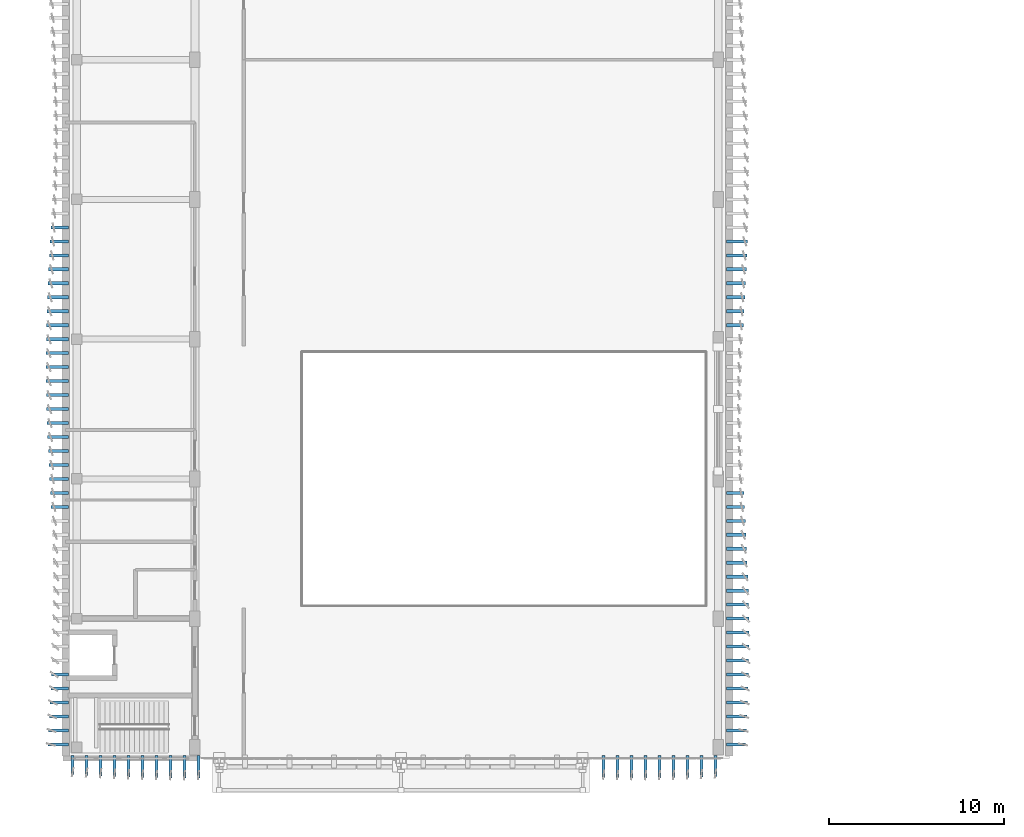
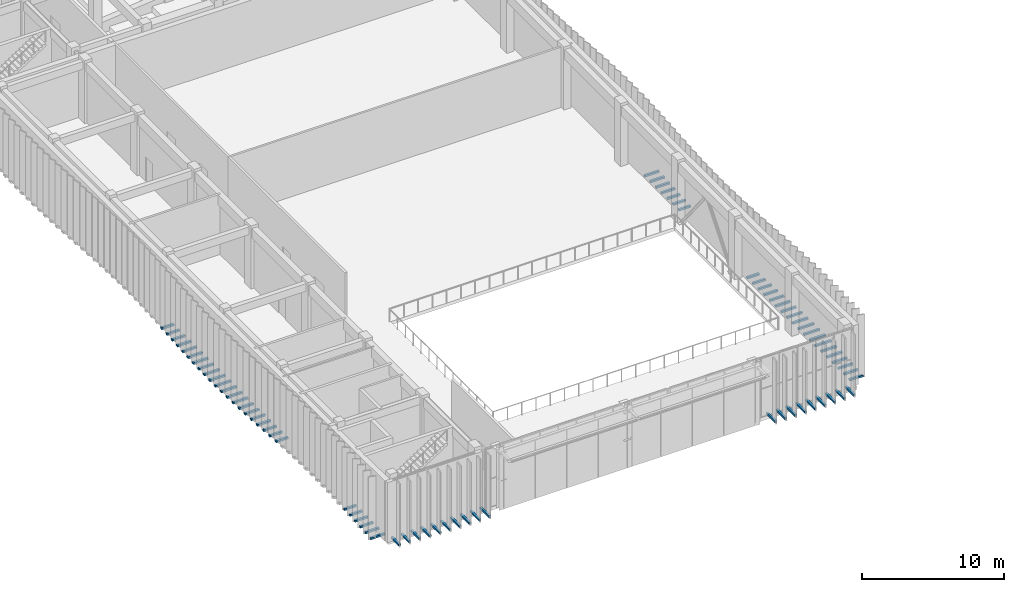
# One storey, part 47 of 64: 72 discrete accessories.
"""IFC4 building model written with IfcOpenShell, lengths in metres."""

from ifc_helpers import new_model, si_unit, direction, frame, origin, origin_2d, place, context, subcontext, project, spatial, rectangle, extrude, material, type_object, element, save


model = new_model("IFC4")

# Units and contexts
model_context = context("Model", 3, precision=1e-05, world=origin(), true_north=direction((0.0, 1.0)))
body_context = subcontext(model_context, "Body", "Model", "MODEL_VIEW")
ifc_project = project(units=[si_unit("LENGTHUNIT", "METRE"), si_unit("AREAUNIT", "SQUARE_METRE"), si_unit("VOLUMEUNIT", "CUBIC_METRE"), si_unit("PLANEANGLEUNIT", "RADIAN"), si_unit("MASSUNIT", "GRAM", prefix="KILO")], contexts=[model_context])

# Site, building, storey
site_placement = place(None, origin())
site = spatial("IfcSite", under=ifc_project, at=site_placement, CompositionType="ELEMENT")
building_placement = place(site_placement, origin())
building = spatial("IfcBuilding", under=site, at=building_placement, Name="Cinchona Park Media Centre", CompositionType="ELEMENT")
storey_placement = place(building_placement, frame((0.0, 0.0, 10.199951171875)))
storey = spatial("IfcBuildingStorey", under=building, at=storey_placement, Name="L02", CompositionType="ELEMENT", Elevation=10.199951171875)

# Discrete accessories
ifc_material = material(Name="Steel S355", Category="steel")
discrete_accessory_type = type_object("IfcDiscreteAccessoryType", Name="BRACKET-BRK01", PredefinedType="BRACKET", material=ifc_material)
discrete_accessory_1_placement = place(storey_placement, frame((7.655029296875, 38.0, 0.0400390625), z_axis=(0.0, 0.0, 1.0), x_axis=(0.0, -1.0, 0.0)))
element("IfcDiscreteAccessory", 1, at=discrete_accessory_1_placement, inside=storey, type_object=discrete_accessory_type, Name="Facade Fin Outrigger Bracket L02", PredefinedType="BRACKET", context=body_context, shape_type="SweptSolid", body=[
    extrude(rectangle(XDim=0.179931640625, YDim=1.010986328125, at=origin_2d()), origin(), (0.0, 0.0, 1.0), 0.159912109375),
])
discrete_accessory_2_placement = place(storey_placement, frame((7.635009765625, 37.199951171875, 0.0400390625), z_axis=(0.0, 0.0, 1.0), x_axis=(0.0, -1.0, 0.0)))
element("IfcDiscreteAccessory", 2, at=discrete_accessory_2_placement, inside=storey, type_object=discrete_accessory_type, Name="Facade Fin Outrigger Bracket L02", PredefinedType="BRACKET", context=body_context, shape_type="SweptSolid", body=[
    extrude(rectangle(XDim=0.179931640625, YDim=1.050048828125, at=origin_2d()), origin(), (0.0, 0.0, 1.0), 0.159912109375),
])
discrete_accessory_3_placement = place(storey_placement, frame((7.614990234375, 36.39990234375, 0.0400390625), z_axis=(0.0, 0.0, 1.0), x_axis=(0.0, -1.0, 0.0)))
element("IfcDiscreteAccessory", 3, at=discrete_accessory_3_placement, inside=storey, type_object=discrete_accessory_type, Name="Facade Fin Outrigger Bracket L02", PredefinedType="BRACKET", context=body_context, shape_type="SweptSolid", body=[
    extrude(rectangle(XDim=0.179931640625, YDim=1.090087890625, at=origin_2d()), origin(), (0.0, 0.0, 1.0), 0.159912109375),
])
discrete_accessory_4_placement = place(storey_placement, frame((7.594970703125, 35.60009765625, 0.0400390625), z_axis=(0.0, 0.0, 1.0), x_axis=(0.0, -1.0, 0.0)))
element("IfcDiscreteAccessory", 4, at=discrete_accessory_4_placement, inside=storey, type_object=discrete_accessory_type, Name="Facade Fin Outrigger Bracket L02", PredefinedType="BRACKET", context=body_context, shape_type="SweptSolid", body=[
    extrude(rectangle(XDim=0.179931640625, YDim=1.12890625, at=origin_2d()), origin(), (0.0, 0.0, 1.0), 0.159912109375),
])
discrete_accessory_5_placement = place(storey_placement, frame((7.576904296875, 34.800048828125, 0.0400390625), z_axis=(0.0, 0.0, 1.0), x_axis=(0.0, -1.0, 0.0)))
element("IfcDiscreteAccessory", 5, at=discrete_accessory_5_placement, inside=storey, type_object=discrete_accessory_type, Name="Facade Fin Outrigger Bracket L02", PredefinedType="BRACKET", context=body_context, shape_type="SweptSolid", body=[
    extrude(rectangle(XDim=0.179931640625, YDim=1.166015625, at=origin_2d()), origin(), (0.0, 0.0, 1.0), 0.159912109375),
])
discrete_accessory_6_placement = place(storey_placement, frame((7.56005859375, 34.0, 0.0400390625), z_axis=(0.0, 0.0, 1.0), x_axis=(0.0, -1.0, 0.0)))
element("IfcDiscreteAccessory", 6, at=discrete_accessory_6_placement, inside=storey, type_object=discrete_accessory_type, Name="Facade Fin Outrigger Bracket L02", PredefinedType="BRACKET", context=body_context, shape_type="SweptSolid", body=[
    extrude(rectangle(XDim=0.179931640625, YDim=1.199951171875, at=origin_2d()), origin(), (0.0, 0.0, 1.0), 0.159912109375),
])
discrete_accessory_7_placement = place(storey_placement, frame((7.5458984375, 33.199951171875, 0.0400390625), z_axis=(0.0, 0.0, 1.0), x_axis=(0.0, -1.0, 0.0)))
element("IfcDiscreteAccessory", 7, at=discrete_accessory_7_placement, inside=storey, type_object=discrete_accessory_type, Name="Facade Fin Outrigger Bracket L02", PredefinedType="BRACKET", context=body_context, shape_type="SweptSolid", body=[
    extrude(rectangle(XDim=0.179931640625, YDim=1.22900390625, at=origin_2d()), origin(), (0.0, 0.0, 1.0), 0.159912109375),
])
discrete_accessory_8_placement = place(storey_placement, frame((7.533935546875, 32.39990234375, 0.0400390625), z_axis=(0.0, 0.0, 1.0), x_axis=(0.0, -1.0, 0.0)))
element("IfcDiscreteAccessory", 8, at=discrete_accessory_8_placement, inside=storey, type_object=discrete_accessory_type, Name="Facade Fin Outrigger Bracket L02", PredefinedType="BRACKET", context=body_context, shape_type="SweptSolid", body=[
    extrude(rectangle(XDim=0.179931640625, YDim=1.251953125, at=origin_2d()), origin(), (0.0, 0.0, 1.0), 0.159912109375),
])
discrete_accessory_9_placement = place(storey_placement, frame((7.52587890625, 31.60009765625, 0.0400390625), z_axis=(0.0, 0.0, 1.0), x_axis=(0.0, -1.0, 0.0)))
element("IfcDiscreteAccessory", 9, at=discrete_accessory_9_placement, inside=storey, type_object=discrete_accessory_type, Name="Facade Fin Outrigger Bracket L02", PredefinedType="BRACKET", context=body_context, shape_type="SweptSolid", body=[
    extrude(rectangle(XDim=0.179931640625, YDim=1.26806640625, at=origin_2d()), origin(), (0.0, 0.0, 1.0), 0.159912109375),
])
discrete_accessory_10_placement = place(storey_placement, frame((7.52099609375, 30.800048828125, 0.0400390625), z_axis=(0.0, 0.0, 1.0), x_axis=(0.0, -1.0, 0.0)))
element("IfcDiscreteAccessory", 10, at=discrete_accessory_10_placement, inside=storey, type_object=discrete_accessory_type, Name="Facade Fin Outrigger Bracket L02", PredefinedType="BRACKET", context=body_context, shape_type="SweptSolid", body=[
    extrude(rectangle(XDim=0.179931640625, YDim=1.278076171875, at=origin_2d()), origin(), (0.0, 0.0, 1.0), 0.159912109375),
])
discrete_accessory_11_placement = place(storey_placement, frame((7.52001953125, 30.0, 0.0400390625), z_axis=(0.0, 0.0, 1.0), x_axis=(0.0, -1.0, 0.0)))
element("IfcDiscreteAccessory", 11, at=discrete_accessory_11_placement, inside=storey, type_object=discrete_accessory_type, Name="Facade Fin Outrigger Bracket L02", PredefinedType="BRACKET", context=body_context, shape_type="SweptSolid", body=[
    extrude(rectangle(XDim=0.179931640625, YDim=1.280029296875, at=origin_2d()), origin(), (0.0, 0.0, 1.0), 0.159912109375),
])
discrete_accessory_12_placement = place(storey_placement, frame((7.52294921875, 29.199951171875, 0.0400390625), z_axis=(0.0, 0.0, 1.0), x_axis=(0.0, -1.0, 0.0)))
element("IfcDiscreteAccessory", 12, at=discrete_accessory_12_placement, inside=storey, type_object=discrete_accessory_type, Name="Facade Fin Outrigger Bracket L02", PredefinedType="BRACKET", context=body_context, shape_type="SweptSolid", body=[
    extrude(rectangle(XDim=0.179931640625, YDim=1.27392578125, at=origin_2d()), origin(), (0.0, 0.0, 1.0), 0.159912109375),
])
discrete_accessory_13_placement = place(storey_placement, frame((7.529052734375, 28.39990234375, 0.0400390625), z_axis=(0.0, 0.0, 1.0), x_axis=(0.0, -1.0, 0.0)))
element("IfcDiscreteAccessory", 13, at=discrete_accessory_13_placement, inside=storey, type_object=discrete_accessory_type, Name="Facade Fin Outrigger Bracket L02", PredefinedType="BRACKET", context=body_context, shape_type="SweptSolid", body=[
    extrude(rectangle(XDim=0.179931640625, YDim=1.260986328125, at=origin_2d()), origin(), (0.0, 0.0, 1.0), 0.159912109375),
])
discrete_accessory_14_placement = place(storey_placement, frame((7.5390625, 27.60009765625, 0.0400390625), z_axis=(0.0, 0.0, 1.0), x_axis=(0.0, -1.0, 0.0)))
element("IfcDiscreteAccessory", 14, at=discrete_accessory_14_placement, inside=storey, type_object=discrete_accessory_type, Name="Facade Fin Outrigger Bracket L02", PredefinedType="BRACKET", context=body_context, shape_type="SweptSolid", body=[
    extrude(rectangle(XDim=0.179931640625, YDim=1.240966796875, at=origin_2d()), origin(), (0.0, 0.0, 1.0), 0.159912109375),
])
discrete_accessory_15_placement = place(storey_placement, frame((7.552978515625, 26.800048828125, 0.0400390625), z_axis=(0.0, 0.0, 1.0), x_axis=(0.0, -1.0, 0.0)))
element("IfcDiscreteAccessory", 15, at=discrete_accessory_15_placement, inside=storey, type_object=discrete_accessory_type, Name="Facade Fin Outrigger Bracket L02", PredefinedType="BRACKET", context=body_context, shape_type="SweptSolid", body=[
    extrude(rectangle(XDim=0.179931640625, YDim=1.215087890625, at=origin_2d()), origin(), (0.0, 0.0, 1.0), 0.159912109375),
])
discrete_accessory_16_placement = place(storey_placement, frame((7.568115234375, 26.0, 0.0400390625), z_axis=(0.0, 0.0, 1.0), x_axis=(0.0, -1.0, 0.0)))
element("IfcDiscreteAccessory", 16, at=discrete_accessory_16_placement, inside=storey, type_object=discrete_accessory_type, Name="Facade Fin Outrigger Bracket L02", PredefinedType="BRACKET", context=body_context, shape_type="SweptSolid", body=[
    extrude(rectangle(XDim=0.179931640625, YDim=1.18408203125, at=origin_2d()), origin(), (0.0, 0.0, 1.0), 0.159912109375),
])
discrete_accessory_17_placement = place(storey_placement, frame((7.5859375, 25.199951171875, 0.0400390625), z_axis=(0.0, 0.0, 1.0), x_axis=(0.0, -1.0, 0.0)))
element("IfcDiscreteAccessory", 17, at=discrete_accessory_17_placement, inside=storey, type_object=discrete_accessory_type, Name="Facade Fin Outrigger Bracket L02", PredefinedType="BRACKET", context=body_context, shape_type="SweptSolid", body=[
    extrude(rectangle(XDim=0.179931640625, YDim=1.14794921875, at=origin_2d()), origin(), (0.0, 0.0, 1.0), 0.159912109375),
])
discrete_accessory_18_placement = place(storey_placement, frame((7.60498046875, 24.39990234375, 0.0400390625), z_axis=(0.0, 0.0, 1.0), x_axis=(0.0, -1.0, 0.0)))
element("IfcDiscreteAccessory", 18, at=discrete_accessory_18_placement, inside=storey, type_object=discrete_accessory_type, Name="Facade Fin Outrigger Bracket L02", PredefinedType="BRACKET", context=body_context, shape_type="SweptSolid", body=[
    extrude(rectangle(XDim=0.179931640625, YDim=1.110107421875, at=origin_2d()), origin(), (0.0, 0.0, 1.0), 0.159912109375),
])
discrete_accessory_19_placement = place(storey_placement, frame((7.625, 23.60009765625, 0.0400390625), z_axis=(0.0, 0.0, 1.0), x_axis=(0.0, -1.0, 0.0)))
element("IfcDiscreteAccessory", 19, at=discrete_accessory_19_placement, inside=storey, type_object=discrete_accessory_type, Name="Facade Fin Outrigger Bracket L02", PredefinedType="BRACKET", context=body_context, shape_type="SweptSolid", body=[
    extrude(rectangle(XDim=0.179931640625, YDim=1.070068359375, at=origin_2d()), origin(), (0.0, 0.0, 1.0), 0.159912109375),
])
discrete_accessory_20_placement = place(storey_placement, frame((7.64501953125, 22.800048828125, 0.0400390625), z_axis=(0.0, 0.0, 1.0), x_axis=(0.0, -1.0, 0.0)))
element("IfcDiscreteAccessory", 20, at=discrete_accessory_20_placement, inside=storey, type_object=discrete_accessory_type, Name="Facade Fin Outrigger Bracket L02", PredefinedType="BRACKET", context=body_context, shape_type="SweptSolid", body=[
    extrude(rectangle(XDim=0.179931640625, YDim=1.030029296875, at=origin_2d()), origin(), (0.0, 0.0, 1.0), 0.159912109375),
])
discrete_accessory_21_placement = place(storey_placement, frame((7.6640625, 22.0, 0.0400390625), z_axis=(0.0, 0.0, 1.0), x_axis=(0.0, -1.0, 0.0)))
element("IfcDiscreteAccessory", 21, at=discrete_accessory_21_placement, inside=storey, type_object=discrete_accessory_type, Name="Facade Fin Outrigger Bracket L02", PredefinedType="BRACKET", context=body_context, shape_type="SweptSolid", body=[
    extrude(rectangle(XDim=0.179931640625, YDim=0.991943359375, at=origin_2d()), origin(), (0.0, 0.0, 1.0), 0.159912109375),
])
discrete_accessory_22_placement = place(storey_placement, frame((7.673095703125, 12.39990234375, 0.0400390625), z_axis=(0.0, 0.0, 1.0), x_axis=(0.0, -1.0, 0.0)))
element("IfcDiscreteAccessory", 22, at=discrete_accessory_22_placement, inside=storey, type_object=discrete_accessory_type, Name="Facade Fin Outrigger Bracket L02", PredefinedType="BRACKET", context=body_context, shape_type="SweptSolid", body=[
    extrude(rectangle(XDim=0.179931640625, YDim=0.97412109375, at=origin_2d()), origin(), (0.0, 0.0, 1.0), 0.159912109375),
])
discrete_accessory_23_placement = place(storey_placement, frame((7.655029296875, 11.60009765625, 0.0400390625), z_axis=(0.0, 0.0, 1.0), x_axis=(0.0, -1.0, 0.0)))
element("IfcDiscreteAccessory", 23, at=discrete_accessory_23_placement, inside=storey, type_object=discrete_accessory_type, Name="Facade Fin Outrigger Bracket L02", PredefinedType="BRACKET", context=body_context, shape_type="SweptSolid", body=[
    extrude(rectangle(XDim=0.179931640625, YDim=1.010986328125, at=origin_2d()), origin(), (0.0, 0.0, 1.0), 0.159912109375),
])
discrete_accessory_24_placement = place(storey_placement, frame((7.635009765625, 10.800048828125, 0.0400390625), z_axis=(0.0, 0.0, 1.0), x_axis=(0.0, -1.0, 0.0)))
element("IfcDiscreteAccessory", 24, at=discrete_accessory_24_placement, inside=storey, type_object=discrete_accessory_type, Name="Facade Fin Outrigger Bracket L02", PredefinedType="BRACKET", context=body_context, shape_type="SweptSolid", body=[
    extrude(rectangle(XDim=0.179931640625, YDim=1.050048828125, at=origin_2d()), origin(), (0.0, 0.0, 1.0), 0.159912109375),
])
discrete_accessory_25_placement = place(storey_placement, frame((7.614990234375, 10.0, 0.0400390625), z_axis=(0.0, 0.0, 1.0), x_axis=(0.0, -1.0, 0.0)))
element("IfcDiscreteAccessory", 25, at=discrete_accessory_25_placement, inside=storey, type_object=discrete_accessory_type, Name="Facade Fin Outrigger Bracket L02", PredefinedType="BRACKET", context=body_context, shape_type="SweptSolid", body=[
    extrude(rectangle(XDim=0.179931640625, YDim=1.090087890625, at=origin_2d()), origin(), (0.0, 0.0, 1.0), 0.159912109375),
])
discrete_accessory_26_placement = place(storey_placement, frame((7.594970703125, 9.199951171875, 0.0400390625), z_axis=(0.0, 0.0, 1.0), x_axis=(0.0, -1.0, 0.0)))
element("IfcDiscreteAccessory", 26, at=discrete_accessory_26_placement, inside=storey, type_object=discrete_accessory_type, Name="Facade Fin Outrigger Bracket L02", PredefinedType="BRACKET", context=body_context, shape_type="SweptSolid", body=[
    extrude(rectangle(XDim=0.179931640625, YDim=1.12890625, at=origin_2d()), origin(), (0.0, 0.0, 1.0), 0.159912109375),
])
discrete_accessory_27_placement = place(storey_placement, frame((7.576904296875, 8.39990234375, 0.0400390625), z_axis=(0.0, 0.0, 1.0), x_axis=(0.0, -1.0, 0.0)))
element("IfcDiscreteAccessory", 27, at=discrete_accessory_27_placement, inside=storey, type_object=discrete_accessory_type, Name="Facade Fin Outrigger Bracket L02", PredefinedType="BRACKET", context=body_context, shape_type="SweptSolid", body=[
    extrude(rectangle(XDim=0.179931640625, YDim=1.166015625, at=origin_2d()), origin(), (0.0, 0.0, 1.0), 0.159912109375),
])
discrete_accessory_28_placement = place(storey_placement, frame((8.39990234375, 7.215087890625, 0.0400390625), z_axis=(0.0, 0.0, 1.0), x_axis=(1.0, 0.0, 0.0)))
element("IfcDiscreteAccessory", 28, at=discrete_accessory_28_placement, inside=storey, type_object=discrete_accessory_type, Name="Facade Fin Outrigger Bracket L02", PredefinedType="BRACKET", context=body_context, shape_type="SweptSolid", body=[
    extrude(rectangle(XDim=0.179931640625, YDim=1.090087890625, at=origin_2d()), origin(), (0.0, 0.0, 1.0), 0.159912109375),
])
discrete_accessory_29_placement = place(storey_placement, frame((9.199951171875, 7.195068359375, 0.0400390625), z_axis=(0.0, 0.0, 1.0), x_axis=(1.0, 0.0, 0.0)))
element("IfcDiscreteAccessory", 29, at=discrete_accessory_29_placement, inside=storey, type_object=discrete_accessory_type, Name="Facade Fin Outrigger Bracket L02", PredefinedType="BRACKET", context=body_context, shape_type="SweptSolid", body=[
    extrude(rectangle(XDim=0.179931640625, YDim=1.12890625, at=origin_2d()), origin(), (0.0, 0.0, 1.0), 0.159912109375),
])
discrete_accessory_30_placement = place(storey_placement, frame((10.0, 7.177001953125, 0.0400390625), z_axis=(0.0, 0.0, 1.0), x_axis=(1.0, 0.0, 0.0)))
element("IfcDiscreteAccessory", 30, at=discrete_accessory_30_placement, inside=storey, type_object=discrete_accessory_type, Name="Facade Fin Outrigger Bracket L02", PredefinedType="BRACKET", context=body_context, shape_type="SweptSolid", body=[
    extrude(rectangle(XDim=0.179931640625, YDim=1.166015625, at=origin_2d()), origin(), (0.0, 0.0, 1.0), 0.159912109375),
])
discrete_accessory_31_placement = place(storey_placement, frame((10.800048828125, 7.159912109375, 0.0400390625), z_axis=(0.0, 0.0, 1.0), x_axis=(1.0, 0.0, 0.0)))
element("IfcDiscreteAccessory", 31, at=discrete_accessory_31_placement, inside=storey, type_object=discrete_accessory_type, Name="Facade Fin Outrigger Bracket L02", PredefinedType="BRACKET", context=body_context, shape_type="SweptSolid", body=[
    extrude(rectangle(XDim=0.179931640625, YDim=1.199951171875, at=origin_2d()), origin(), (0.0, 0.0, 1.0), 0.159912109375),
])
discrete_accessory_32_placement = place(storey_placement, frame((11.60009765625, 7.14599609375, 0.0400390625), z_axis=(0.0, 0.0, 1.0), x_axis=(1.0, 0.0, 0.0)))
element("IfcDiscreteAccessory", 32, at=discrete_accessory_32_placement, inside=storey, type_object=discrete_accessory_type, Name="Facade Fin Outrigger Bracket L02", PredefinedType="BRACKET", context=body_context, shape_type="SweptSolid", body=[
    extrude(rectangle(XDim=0.179931640625, YDim=1.22900390625, at=origin_2d()), origin(), (0.0, 0.0, 1.0), 0.159912109375),
])
discrete_accessory_33_placement = place(storey_placement, frame((12.39990234375, 7.134033203125, 0.0400390625), z_axis=(0.0, 0.0, 1.0), x_axis=(1.0, 0.0, 0.0)))
element("IfcDiscreteAccessory", 33, at=discrete_accessory_33_placement, inside=storey, type_object=discrete_accessory_type, Name="Facade Fin Outrigger Bracket L02", PredefinedType="BRACKET", context=body_context, shape_type="SweptSolid", body=[
    extrude(rectangle(XDim=0.179931640625, YDim=1.251953125, at=origin_2d()), origin(), (0.0, 0.0, 1.0), 0.159912109375),
])
discrete_accessory_34_placement = place(storey_placement, frame((13.199951171875, 7.1259765625, 0.0400390625), z_axis=(0.0, 0.0, 1.0), x_axis=(1.0, 0.0, 0.0)))
element("IfcDiscreteAccessory", 34, at=discrete_accessory_34_placement, inside=storey, type_object=discrete_accessory_type, Name="Facade Fin Outrigger Bracket L02", PredefinedType="BRACKET", context=body_context, shape_type="SweptSolid", body=[
    extrude(rectangle(XDim=0.179931640625, YDim=1.26806640625, at=origin_2d()), origin(), (0.0, 0.0, 1.0), 0.159912109375),
])
discrete_accessory_35_placement = place(storey_placement, frame((14.0, 7.12109375, 0.0400390625), z_axis=(0.0, 0.0, 1.0), x_axis=(1.0, 0.0, 0.0)))
element("IfcDiscreteAccessory", 35, at=discrete_accessory_35_placement, inside=storey, type_object=discrete_accessory_type, Name="Facade Fin Outrigger Bracket L02", PredefinedType="BRACKET", context=body_context, shape_type="SweptSolid", body=[
    extrude(rectangle(XDim=0.179931640625, YDim=1.278076171875, at=origin_2d()), origin(), (0.0, 0.0, 1.0), 0.159912109375),
])
discrete_accessory_36_placement = place(storey_placement, frame((14.800048828125, 7.1201171875, 0.0400390625), z_axis=(0.0, 0.0, 1.0), x_axis=(1.0, 0.0, 0.0)))
element("IfcDiscreteAccessory", 36, at=discrete_accessory_36_placement, inside=storey, type_object=discrete_accessory_type, Name="Facade Fin Outrigger Bracket L02", PredefinedType="BRACKET", context=body_context, shape_type="SweptSolid", body=[
    extrude(rectangle(XDim=0.179931640625, YDim=1.280029296875, at=origin_2d()), origin(), (0.0, 0.0, 1.0), 0.159912109375),
])
discrete_accessory_37_placement = place(storey_placement, frame((15.60009765625, 7.123046875, 0.0400390625), z_axis=(0.0, 0.0, 1.0), x_axis=(1.0, 0.0, 0.0)))
element("IfcDiscreteAccessory", 37, at=discrete_accessory_37_placement, inside=storey, type_object=discrete_accessory_type, Name="Facade Fin Outrigger Bracket L02", PredefinedType="BRACKET", context=body_context, shape_type="SweptSolid", body=[
    extrude(rectangle(XDim=0.179931640625, YDim=1.27392578125, at=origin_2d()), origin(), (0.0, 0.0, 1.0), 0.159912109375),
])
discrete_accessory_38_placement = place(storey_placement, frame((38.800048828125, 7.134033203125, 0.0400390625), z_axis=(0.0, 0.0, 1.0), x_axis=(1.0, 0.0, 0.0)))
element("IfcDiscreteAccessory", 38, at=discrete_accessory_38_placement, inside=storey, type_object=discrete_accessory_type, Name="Facade Fin Outrigger Bracket L02", PredefinedType="BRACKET", context=body_context, shape_type="SweptSolid", body=[
    extrude(rectangle(XDim=0.179931640625, YDim=1.251953125, at=origin_2d()), origin(), (0.0, 0.0, 1.0), 0.159912109375),
])
discrete_accessory_39_placement = place(storey_placement, frame((39.60009765625, 7.1259765625, 0.0400390625), z_axis=(0.0, 0.0, 1.0), x_axis=(1.0, 0.0, 0.0)))
element("IfcDiscreteAccessory", 39, at=discrete_accessory_39_placement, inside=storey, type_object=discrete_accessory_type, Name="Facade Fin Outrigger Bracket L02", PredefinedType="BRACKET", context=body_context, shape_type="SweptSolid", body=[
    extrude(rectangle(XDim=0.179931640625, YDim=1.26806640625, at=origin_2d()), origin(), (0.0, 0.0, 1.0), 0.159912109375),
])
discrete_accessory_40_placement = place(storey_placement, frame((40.39990234375, 7.12109375, 0.0400390625), z_axis=(0.0, 0.0, 1.0), x_axis=(1.0, 0.0, 0.0)))
element("IfcDiscreteAccessory", 40, at=discrete_accessory_40_placement, inside=storey, type_object=discrete_accessory_type, Name="Facade Fin Outrigger Bracket L02", PredefinedType="BRACKET", context=body_context, shape_type="SweptSolid", body=[
    extrude(rectangle(XDim=0.179931640625, YDim=1.278076171875, at=origin_2d()), origin(), (0.0, 0.0, 1.0), 0.159912109375),
])
discrete_accessory_41_placement = place(storey_placement, frame((41.199951171875, 7.1201171875, 0.0400390625), z_axis=(0.0, 0.0, 1.0), x_axis=(1.0, 0.0, 0.0)))
element("IfcDiscreteAccessory", 41, at=discrete_accessory_41_placement, inside=storey, type_object=discrete_accessory_type, Name="Facade Fin Outrigger Bracket L02", PredefinedType="BRACKET", context=body_context, shape_type="SweptSolid", body=[
    extrude(rectangle(XDim=0.179931640625, YDim=1.280029296875, at=origin_2d()), origin(), (0.0, 0.0, 1.0), 0.159912109375),
])
discrete_accessory_42_placement = place(storey_placement, frame((42.0, 7.123046875, 0.0400390625), z_axis=(0.0, 0.0, 1.0), x_axis=(1.0, 0.0, 0.0)))
element("IfcDiscreteAccessory", 42, at=discrete_accessory_42_placement, inside=storey, type_object=discrete_accessory_type, Name="Facade Fin Outrigger Bracket L02", PredefinedType="BRACKET", context=body_context, shape_type="SweptSolid", body=[
    extrude(rectangle(XDim=0.179931640625, YDim=1.27392578125, at=origin_2d()), origin(), (0.0, 0.0, 1.0), 0.159912109375),
])
discrete_accessory_43_placement = place(storey_placement, frame((42.800048828125, 7.12890625, 0.0400390625), z_axis=(0.0, 0.0, 1.0), x_axis=(1.0, 0.0, 0.0)))
element("IfcDiscreteAccessory", 43, at=discrete_accessory_43_placement, inside=storey, type_object=discrete_accessory_type, Name="Facade Fin Outrigger Bracket L02", PredefinedType="BRACKET", context=body_context, shape_type="SweptSolid", body=[
    extrude(rectangle(XDim=0.179931640625, YDim=1.260986328125, at=origin_2d()), origin(), (0.0, 0.0, 1.0), 0.159912109375),
])
discrete_accessory_44_placement = place(storey_placement, frame((43.60009765625, 7.138916015625, 0.0400390625), z_axis=(0.0, 0.0, 1.0), x_axis=(1.0, 0.0, 0.0)))
element("IfcDiscreteAccessory", 44, at=discrete_accessory_44_placement, inside=storey, type_object=discrete_accessory_type, Name="Facade Fin Outrigger Bracket L02", PredefinedType="BRACKET", context=body_context, shape_type="SweptSolid", body=[
    extrude(rectangle(XDim=0.179931640625, YDim=1.240966796875, at=origin_2d()), origin(), (0.0, 0.0, 1.0), 0.159912109375),
])
discrete_accessory_45_placement = place(storey_placement, frame((44.39990234375, 7.153076171875, 0.0400390625), z_axis=(0.0, 0.0, 1.0), x_axis=(1.0, 0.0, 0.0)))
element("IfcDiscreteAccessory", 45, at=discrete_accessory_45_placement, inside=storey, type_object=discrete_accessory_type, Name="Facade Fin Outrigger Bracket L02", PredefinedType="BRACKET", context=body_context, shape_type="SweptSolid", body=[
    extrude(rectangle(XDim=0.179931640625, YDim=1.215087890625, at=origin_2d()), origin(), (0.0, 0.0, 1.0), 0.159912109375),
])
discrete_accessory_46_placement = place(storey_placement, frame((45.199951171875, 7.16796875, 0.0400390625), z_axis=(0.0, 0.0, 1.0), x_axis=(1.0, 0.0, 0.0)))
element("IfcDiscreteAccessory", 46, at=discrete_accessory_46_placement, inside=storey, type_object=discrete_accessory_type, Name="Facade Fin Outrigger Bracket L02", PredefinedType="BRACKET", context=body_context, shape_type="SweptSolid", body=[
    extrude(rectangle(XDim=0.179931640625, YDim=1.18408203125, at=origin_2d()), origin(), (0.0, 0.0, 1.0), 0.159912109375),
])
discrete_accessory_47_placement = place(storey_placement, frame((46.385009765625, 8.39990234375, 0.0400390625), z_axis=(0.0, 0.0, 1.0), x_axis=(0.0, 1.0, 0.0)))
element("IfcDiscreteAccessory", 47, at=discrete_accessory_47_placement, inside=storey, type_object=discrete_accessory_type, Name="Facade Fin Outrigger Bracket L02", PredefinedType="BRACKET", context=body_context, shape_type="SweptSolid", body=[
    extrude(rectangle(XDim=0.179931640625, YDim=1.090087890625, at=origin_2d()), origin(), (0.0, 0.0, 1.0), 0.159912109375),
])
discrete_accessory_48_placement = place(storey_placement, frame((46.405029296875, 9.199951171875, 0.0400390625), z_axis=(0.0, 0.0, 1.0), x_axis=(0.0, 1.0, 0.0)))
element("IfcDiscreteAccessory", 48, at=discrete_accessory_48_placement, inside=storey, type_object=discrete_accessory_type, Name="Facade Fin Outrigger Bracket L02", PredefinedType="BRACKET", context=body_context, shape_type="SweptSolid", body=[
    extrude(rectangle(XDim=0.179931640625, YDim=1.12890625, at=origin_2d()), origin(), (0.0, 0.0, 1.0), 0.159912109375),
])
discrete_accessory_49_placement = place(storey_placement, frame((46.423095703125, 10.0, 0.0400390625), z_axis=(0.0, 0.0, 1.0), x_axis=(0.0, 1.0, 0.0)))
element("IfcDiscreteAccessory", 49, at=discrete_accessory_49_placement, inside=storey, type_object=discrete_accessory_type, Name="Facade Fin Outrigger Bracket L02", PredefinedType="BRACKET", context=body_context, shape_type="SweptSolid", body=[
    extrude(rectangle(XDim=0.179931640625, YDim=1.166015625, at=origin_2d()), origin(), (0.0, 0.0, 1.0), 0.159912109375),
])
discrete_accessory_50_placement = place(storey_placement, frame((46.43994140625, 10.800048828125, 0.0400390625), z_axis=(0.0, 0.0, 1.0), x_axis=(0.0, 1.0, 0.0)))
element("IfcDiscreteAccessory", 50, at=discrete_accessory_50_placement, inside=storey, type_object=discrete_accessory_type, Name="Facade Fin Outrigger Bracket L02", PredefinedType="BRACKET", context=body_context, shape_type="SweptSolid", body=[
    extrude(rectangle(XDim=0.179931640625, YDim=1.199951171875, at=origin_2d()), origin(), (0.0, 0.0, 1.0), 0.159912109375),
])
discrete_accessory_51_placement = place(storey_placement, frame((46.4541015625, 11.60009765625, 0.0400390625), z_axis=(0.0, 0.0, 1.0), x_axis=(0.0, 1.0, 0.0)))
element("IfcDiscreteAccessory", 51, at=discrete_accessory_51_placement, inside=storey, type_object=discrete_accessory_type, Name="Facade Fin Outrigger Bracket L02", PredefinedType="BRACKET", context=body_context, shape_type="SweptSolid", body=[
    extrude(rectangle(XDim=0.179931640625, YDim=1.22900390625, at=origin_2d()), origin(), (0.0, 0.0, 1.0), 0.159912109375),
])
discrete_accessory_52_placement = place(storey_placement, frame((46.466064453125, 12.39990234375, 0.0400390625), z_axis=(0.0, 0.0, 1.0), x_axis=(0.0, 1.0, 0.0)))
element("IfcDiscreteAccessory", 52, at=discrete_accessory_52_placement, inside=storey, type_object=discrete_accessory_type, Name="Facade Fin Outrigger Bracket L02", PredefinedType="BRACKET", context=body_context, shape_type="SweptSolid", body=[
    extrude(rectangle(XDim=0.179931640625, YDim=1.251953125, at=origin_2d()), origin(), (0.0, 0.0, 1.0), 0.159912109375),
])
discrete_accessory_53_placement = place(storey_placement, frame((46.47412109375, 13.199951171875, 0.0400390625), z_axis=(0.0, 0.0, 1.0), x_axis=(0.0, 1.0, 0.0)))
element("IfcDiscreteAccessory", 53, at=discrete_accessory_53_placement, inside=storey, type_object=discrete_accessory_type, Name="Facade Fin Outrigger Bracket L02", PredefinedType="BRACKET", context=body_context, shape_type="SweptSolid", body=[
    extrude(rectangle(XDim=0.179931640625, YDim=1.26806640625, at=origin_2d()), origin(), (0.0, 0.0, 1.0), 0.159912109375),
])
discrete_accessory_54_placement = place(storey_placement, frame((46.47900390625, 14.0, 0.0400390625), z_axis=(0.0, 0.0, 1.0), x_axis=(0.0, 1.0, 0.0)))
element("IfcDiscreteAccessory", 54, at=discrete_accessory_54_placement, inside=storey, type_object=discrete_accessory_type, Name="Facade Fin Outrigger Bracket L02", PredefinedType="BRACKET", context=body_context, shape_type="SweptSolid", body=[
    extrude(rectangle(XDim=0.179931640625, YDim=1.278076171875, at=origin_2d()), origin(), (0.0, 0.0, 1.0), 0.159912109375),
])
discrete_accessory_55_placement = place(storey_placement, frame((46.47998046875, 14.800048828125, 0.0400390625), z_axis=(0.0, 0.0, 1.0), x_axis=(0.0, 1.0, 0.0)))
element("IfcDiscreteAccessory", 55, at=discrete_accessory_55_placement, inside=storey, type_object=discrete_accessory_type, Name="Facade Fin Outrigger Bracket L02", PredefinedType="BRACKET", context=body_context, shape_type="SweptSolid", body=[
    extrude(rectangle(XDim=0.179931640625, YDim=1.280029296875, at=origin_2d()), origin(), (0.0, 0.0, 1.0), 0.159912109375),
])
discrete_accessory_56_placement = place(storey_placement, frame((46.47705078125, 15.60009765625, 0.0400390625), z_axis=(0.0, 0.0, 1.0), x_axis=(0.0, 1.0, 0.0)))
element("IfcDiscreteAccessory", 56, at=discrete_accessory_56_placement, inside=storey, type_object=discrete_accessory_type, Name="Facade Fin Outrigger Bracket L02", PredefinedType="BRACKET", context=body_context, shape_type="SweptSolid", body=[
    extrude(rectangle(XDim=0.179931640625, YDim=1.27392578125, at=origin_2d()), origin(), (0.0, 0.0, 1.0), 0.159912109375),
])
discrete_accessory_57_placement = place(storey_placement, frame((46.470947265625, 16.39990234375, 0.0400390625), z_axis=(0.0, 0.0, 1.0), x_axis=(0.0, 1.0, 0.0)))
element("IfcDiscreteAccessory", 57, at=discrete_accessory_57_placement, inside=storey, type_object=discrete_accessory_type, Name="Facade Fin Outrigger Bracket L02", PredefinedType="BRACKET", context=body_context, shape_type="SweptSolid", body=[
    extrude(rectangle(XDim=0.179931640625, YDim=1.260986328125, at=origin_2d()), origin(), (0.0, 0.0, 1.0), 0.159912109375),
])
discrete_accessory_58_placement = place(storey_placement, frame((46.4609375, 17.199951171875, 0.0400390625), z_axis=(0.0, 0.0, 1.0), x_axis=(0.0, 1.0, 0.0)))
element("IfcDiscreteAccessory", 58, at=discrete_accessory_58_placement, inside=storey, type_object=discrete_accessory_type, Name="Facade Fin Outrigger Bracket L02", PredefinedType="BRACKET", context=body_context, shape_type="SweptSolid", body=[
    extrude(rectangle(XDim=0.179931640625, YDim=1.240966796875, at=origin_2d()), origin(), (0.0, 0.0, 1.0), 0.159912109375),
])
discrete_accessory_59_placement = place(storey_placement, frame((46.447021484375, 18.0, 0.0400390625), z_axis=(0.0, 0.0, 1.0), x_axis=(0.0, 1.0, 0.0)))
element("IfcDiscreteAccessory", 59, at=discrete_accessory_59_placement, inside=storey, type_object=discrete_accessory_type, Name="Facade Fin Outrigger Bracket L02", PredefinedType="BRACKET", context=body_context, shape_type="SweptSolid", body=[
    extrude(rectangle(XDim=0.179931640625, YDim=1.215087890625, at=origin_2d()), origin(), (0.0, 0.0, 1.0), 0.159912109375),
])
discrete_accessory_60_placement = place(storey_placement, frame((46.431884765625, 18.800048828125, 0.0400390625), z_axis=(0.0, 0.0, 1.0), x_axis=(0.0, 1.0, 0.0)))
element("IfcDiscreteAccessory", 60, at=discrete_accessory_60_placement, inside=storey, type_object=discrete_accessory_type, Name="Facade Fin Outrigger Bracket L02", PredefinedType="BRACKET", context=body_context, shape_type="SweptSolid", body=[
    extrude(rectangle(XDim=0.179931640625, YDim=1.18408203125, at=origin_2d()), origin(), (0.0, 0.0, 1.0), 0.159912109375),
])
discrete_accessory_61_placement = place(storey_placement, frame((46.4140625, 19.60009765625, 0.0400390625), z_axis=(0.0, 0.0, 1.0), x_axis=(0.0, 1.0, 0.0)))
element("IfcDiscreteAccessory", 61, at=discrete_accessory_61_placement, inside=storey, type_object=discrete_accessory_type, Name="Facade Fin Outrigger Bracket L02", PredefinedType="BRACKET", context=body_context, shape_type="SweptSolid", body=[
    extrude(rectangle(XDim=0.179931640625, YDim=1.14794921875, at=origin_2d()), origin(), (0.0, 0.0, 1.0), 0.159912109375),
])
discrete_accessory_62_placement = place(storey_placement, frame((46.39501953125, 20.39990234375, 0.0400390625), z_axis=(0.0, 0.0, 1.0), x_axis=(0.0, 1.0, 0.0)))
element("IfcDiscreteAccessory", 62, at=discrete_accessory_62_placement, inside=storey, type_object=discrete_accessory_type, Name="Facade Fin Outrigger Bracket L02", PredefinedType="BRACKET", context=body_context, shape_type="SweptSolid", body=[
    extrude(rectangle(XDim=0.179931640625, YDim=1.110107421875, at=origin_2d()), origin(), (0.0, 0.0, 1.0), 0.159912109375),
])
discrete_accessory_63_placement = place(storey_placement, frame((46.375, 21.199951171875, 0.0400390625), z_axis=(0.0, 0.0, 1.0), x_axis=(0.0, 1.0, 0.0)))
element("IfcDiscreteAccessory", 63, at=discrete_accessory_63_placement, inside=storey, type_object=discrete_accessory_type, Name="Facade Fin Outrigger Bracket L02", PredefinedType="BRACKET", context=body_context, shape_type="SweptSolid", body=[
    extrude(rectangle(XDim=0.179931640625, YDim=1.070068359375, at=origin_2d()), origin(), (0.0, 0.0, 1.0), 0.159912109375),
])
discrete_accessory_64_placement = place(storey_placement, frame((46.35498046875, 22.0, 0.0400390625), z_axis=(0.0, 0.0, 1.0), x_axis=(0.0, 1.0, 0.0)))
element("IfcDiscreteAccessory", 64, at=discrete_accessory_64_placement, inside=storey, type_object=discrete_accessory_type, Name="Facade Fin Outrigger Bracket L02", PredefinedType="BRACKET", context=body_context, shape_type="SweptSolid", body=[
    extrude(rectangle(XDim=0.179931640625, YDim=1.030029296875, at=origin_2d()), origin(), (0.0, 0.0, 1.0), 0.159912109375),
])
discrete_accessory_65_placement = place(storey_placement, frame((46.3359375, 22.800048828125, 0.0400390625), z_axis=(0.0, 0.0, 1.0), x_axis=(0.0, 1.0, 0.0)))
element("IfcDiscreteAccessory", 65, at=discrete_accessory_65_placement, inside=storey, type_object=discrete_accessory_type, Name="Facade Fin Outrigger Bracket L02", PredefinedType="BRACKET", context=body_context, shape_type="SweptSolid", body=[
    extrude(rectangle(XDim=0.179931640625, YDim=0.991943359375, at=origin_2d()), origin(), (0.0, 0.0, 1.0), 0.159912109375),
])
discrete_accessory_66_placement = place(storey_placement, frame((46.326904296875, 32.39990234375, 0.0400390625), z_axis=(0.0, 0.0, 1.0), x_axis=(0.0, 1.0, 0.0)))
element("IfcDiscreteAccessory", 66, at=discrete_accessory_66_placement, inside=storey, type_object=discrete_accessory_type, Name="Facade Fin Outrigger Bracket L02", PredefinedType="BRACKET", context=body_context, shape_type="SweptSolid", body=[
    extrude(rectangle(XDim=0.179931640625, YDim=0.97412109375, at=origin_2d()), origin(), (0.0, 0.0, 1.0), 0.159912109375),
])
discrete_accessory_67_placement = place(storey_placement, frame((46.344970703125, 33.199951171875, 0.0400390625), z_axis=(0.0, 0.0, 1.0), x_axis=(0.0, 1.0, 0.0)))
element("IfcDiscreteAccessory", 67, at=discrete_accessory_67_placement, inside=storey, type_object=discrete_accessory_type, Name="Facade Fin Outrigger Bracket L02", PredefinedType="BRACKET", context=body_context, shape_type="SweptSolid", body=[
    extrude(rectangle(XDim=0.179931640625, YDim=1.010986328125, at=origin_2d()), origin(), (0.0, 0.0, 1.0), 0.159912109375),
])
discrete_accessory_68_placement = place(storey_placement, frame((46.364990234375, 34.0, 0.0400390625), z_axis=(0.0, 0.0, 1.0), x_axis=(0.0, 1.0, 0.0)))
element("IfcDiscreteAccessory", 68, at=discrete_accessory_68_placement, inside=storey, type_object=discrete_accessory_type, Name="Facade Fin Outrigger Bracket L02", PredefinedType="BRACKET", context=body_context, shape_type="SweptSolid", body=[
    extrude(rectangle(XDim=0.179931640625, YDim=1.050048828125, at=origin_2d()), origin(), (0.0, 0.0, 1.0), 0.159912109375),
])
discrete_accessory_69_placement = place(storey_placement, frame((46.385009765625, 34.800048828125, 0.0400390625), z_axis=(0.0, 0.0, 1.0), x_axis=(0.0, 1.0, 0.0)))
element("IfcDiscreteAccessory", 69, at=discrete_accessory_69_placement, inside=storey, type_object=discrete_accessory_type, Name="Facade Fin Outrigger Bracket L02", PredefinedType="BRACKET", context=body_context, shape_type="SweptSolid", body=[
    extrude(rectangle(XDim=0.179931640625, YDim=1.090087890625, at=origin_2d()), origin(), (0.0, 0.0, 1.0), 0.159912109375),
])
discrete_accessory_70_placement = place(storey_placement, frame((46.405029296875, 35.60009765625, 0.0400390625), z_axis=(0.0, 0.0, 1.0), x_axis=(0.0, 1.0, 0.0)))
element("IfcDiscreteAccessory", 70, at=discrete_accessory_70_placement, inside=storey, type_object=discrete_accessory_type, Name="Facade Fin Outrigger Bracket L02", PredefinedType="BRACKET", context=body_context, shape_type="SweptSolid", body=[
    extrude(rectangle(XDim=0.179931640625, YDim=1.12890625, at=origin_2d()), origin(), (0.0, 0.0, 1.0), 0.159912109375),
])
discrete_accessory_71_placement = place(storey_placement, frame((46.423095703125, 36.39990234375, 0.0400390625), z_axis=(0.0, 0.0, 1.0), x_axis=(0.0, 1.0, 0.0)))
element("IfcDiscreteAccessory", 71, at=discrete_accessory_71_placement, inside=storey, type_object=discrete_accessory_type, Name="Facade Fin Outrigger Bracket L02", PredefinedType="BRACKET", context=body_context, shape_type="SweptSolid", body=[
    extrude(rectangle(XDim=0.179931640625, YDim=1.166015625, at=origin_2d()), origin(), (0.0, 0.0, 1.0), 0.159912109375),
])
discrete_accessory_72_placement = place(storey_placement, frame((46.43994140625, 37.199951171875, 0.0400390625), z_axis=(0.0, 0.0, 1.0), x_axis=(0.0, 1.0, 0.0)))
element("IfcDiscreteAccessory", 72, at=discrete_accessory_72_placement, inside=storey, type_object=discrete_accessory_type, Name="Facade Fin Outrigger Bracket L02", PredefinedType="BRACKET", context=body_context, shape_type="SweptSolid", body=[
    extrude(rectangle(XDim=0.179931640625, YDim=1.199951171875, at=origin_2d()), origin(), (0.0, 0.0, 1.0), 0.159912109375),
])

save(model, "model.ifc")
